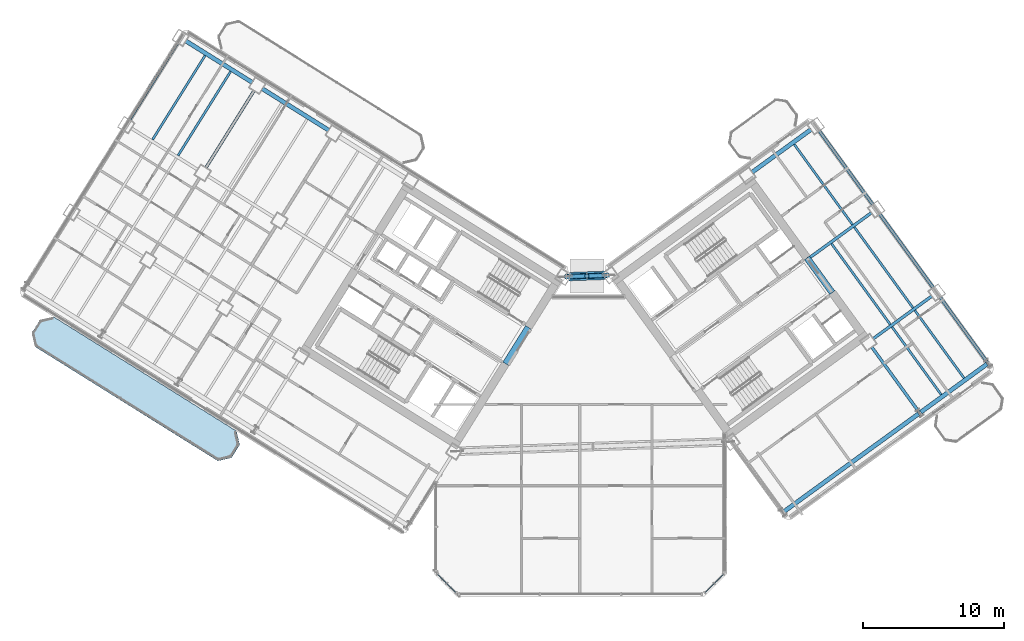
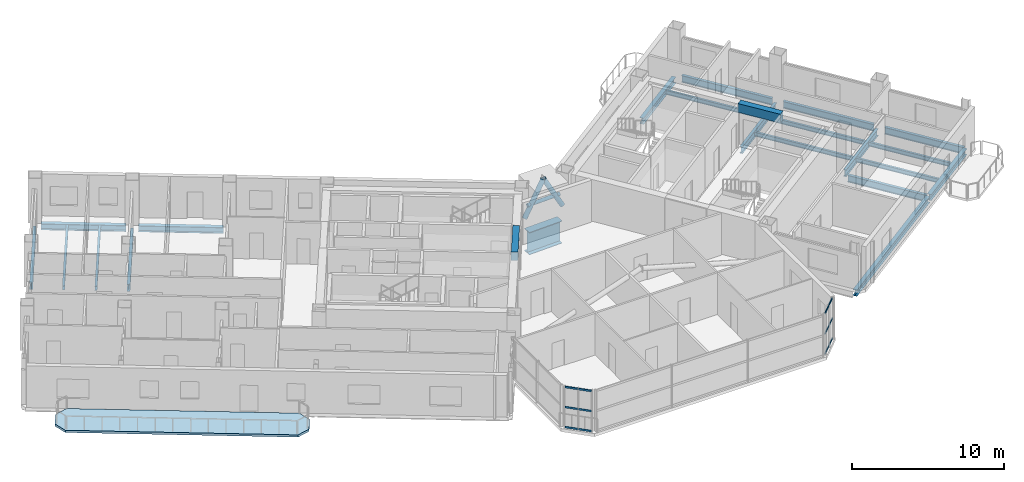
# One storey, part 11 of 29: 23 beams, 15 members, 1 slab, 2 elements without a shape of their own.
"""IFC4 building model written with IfcOpenShell, lengths in metres."""

import ifcopenshell
import ifcopenshell.guid

model = None  # the IFC model being written
_history = None  # IfcOwnerHistory: only IFC2X3 demands one
_inside = {}  # id of a spatial element -> (the spatial element, [elements in it])
_under = {}  # id of a project, library or spatial element -> (it, [spatial elements below it])
_declared = {}  # id of a project -> (the project, [libraries it declares])
_typed = {}  # id of a type object -> (the type object, [elements of that type])
_made_of = {}  # id of a material, layer set ... -> (it, [elements and type objects made of it])


def new_model(schema):
    """Start an empty IFC model of exactly this schema.

    Asked for "IFC4X3", IfcOpenShell would pick the latest addendum, in which some entities
    have other attributes; the version numbers below select the first issue.
    IFC2X3 requires an IfcOwnerHistory on every rooted entity: one is made here for all.
    """
    global model, _history
    if schema == "IFC4X3":
        model = ifcopenshell.file(schema_version=(4, 3, 0, 0))
    else:
        model = ifcopenshell.file(schema=schema)
    _inside.clear()
    _under.clear()
    _declared.clear()
    _typed.clear()
    _made_of.clear()
    _history = None
    if model.schema == "IFC2X3":
        org = make("IfcOrganization", Name="unknown")
        user = make(
            "IfcPersonAndOrganization",
            ThePerson=make("IfcPerson", FamilyName="unknown"),
            TheOrganization=org,
        )
        app = make(
            "IfcApplication",
            ApplicationDeveloper=org,
            Version="unknown",
            ApplicationFullName="unknown",
            ApplicationIdentifier="unknown",
        )
        _history = make(
            "IfcOwnerHistory",
            OwningUser=user,
            OwningApplication=app,
            ChangeAction="ADDED",
            CreationDate=0,
        )
    return model


def make(cls, **values):
    """One entity of the class cls with the attributes given. An attribute that is None is left unset."""
    return model.create_entity(
        cls, **{name: value for name, value in values.items() if value is not None}
    )


def rooted(cls, **values):
    """An entity with a GlobalId (a new one), such as an element, a storey or a relation."""
    return make(cls, GlobalId=ifcopenshell.guid.new(), OwnerHistory=_history, **values)


def si_unit(unit_type, name, prefix=None):
    """IfcSIUnit, for example si_unit("LENGTHUNIT", "METRE", prefix="MILLI")."""
    return make("IfcSIUnit", UnitType=unit_type, Prefix=prefix, Name=name)


def assignment(units):
    """IfcUnitAssignment: the units of a project."""
    return None if units is None else make("IfcUnitAssignment", Units=units)


def point(xyz):
    """IfcCartesianPoint."""
    return None if xyz is None else make("IfcCartesianPoint", Coordinates=xyz)


def direction(xyz):
    """IfcDirection."""
    return None if xyz is None else make("IfcDirection", DirectionRatios=xyz)


def frame(location, z_axis=None, x_axis=None):
    """IfcAxis2Placement3D, a coordinate frame: its origin and axes. An axis left out is left unset."""
    return make(
        "IfcAxis2Placement3D",
        Location=point(location),
        Axis=direction(z_axis),
        RefDirection=direction(x_axis),
    )


def frame_2d(location, x_axis=None):
    """IfcAxis2Placement2D, a coordinate frame in the plane: its origin and x axis."""
    return make(
        "IfcAxis2Placement2D", Location=point(location), RefDirection=direction(x_axis)
    )


def origin():
    """The frame at (0, 0, 0) with its axes left unset."""
    return frame((0.0, 0.0, 0.0))


def origin_2d():
    """The frame at (0, 0) in the plane with its x axis left unset."""
    return frame_2d((0.0, 0.0))


def place(relative_to, where):
    """IfcLocalPlacement: puts the frame where relative to a parent placement (None: the world)."""
    return make(
        "IfcLocalPlacement", PlacementRelTo=relative_to, RelativePlacement=where
    )


def context(
    kind, dimensions, precision=None, world=None, true_north=None, identifier=None
):
    """IfcGeometricRepresentationContext, for example the 3D "Model" context."""
    return make(
        "IfcGeometricRepresentationContext",
        ContextIdentifier=identifier,
        ContextType=kind,
        CoordinateSpaceDimension=dimensions,
        Precision=precision,
        WorldCoordinateSystem=world,
        TrueNorth=true_north,
    )


def subcontext(parent, identifier, kind, view, scale=None):
    """IfcGeometricRepresentationSubContext, for example "Body" below "Model"."""
    return make(
        "IfcGeometricRepresentationSubContext",
        ContextIdentifier=identifier,
        ContextType=kind,
        ParentContext=parent,
        TargetScale=scale,
        TargetView=view,
    )


def project(units=None, contexts=None):
    """IfcProject with its units and contexts."""
    return rooted(
        "IfcProject",
        Name="project",
        RepresentationContexts=contexts,
        UnitsInContext=assignment(units),
    )


def spatial(cls, under=None, at=None, **own):
    """A site, building, storey or space (cls), placed at a placement, below another one or the project."""
    s = rooted(cls, ObjectPlacement=at, **own)
    if under is not None:
        _under.setdefault(under.id(), (under, []))[1].append(s)
    return s


def polyline(points):
    """IfcPolyline through the points."""
    return make("IfcPolyline", Points=[point(p) for p in points])


def profile(cls, at=None, kind="AREA", **sizes):
    """A parametric profile (cls). Its sizes go by their IFC names, for example OverallWidth=200.0."""
    return make(cls, ProfileType=kind, Position=at, **sizes)


def rectangle(**sizes):
    """IfcRectangleProfileDef."""
    return profile("IfcRectangleProfileDef", **sizes)


def hollow_rectangle(**sizes):
    """IfcRectangleHollowProfileDef."""
    return profile("IfcRectangleHollowProfileDef", **sizes)


def hollow_circle(**sizes):
    """IfcCircleHollowProfileDef."""
    return profile("IfcCircleHollowProfileDef", **sizes)


def i_section(**sizes):
    """IfcIShapeProfileDef."""
    return profile("IfcIShapeProfileDef", **sizes)


def outline(outer, holes=None, kind="AREA"):
    """IfcArbitraryClosedProfileDef: a profile drawn as a closed curve; with holes, ...WithVoids."""
    if holes is None:
        return make("IfcArbitraryClosedProfileDef", ProfileType=kind, OuterCurve=outer)
    return make(
        "IfcArbitraryProfileDefWithVoids",
        ProfileType=kind,
        OuterCurve=outer,
        InnerCurves=holes,
    )


def extrude(swept, where, along, depth):
    """IfcExtrudedAreaSolid: the profile swept, set in the frame where, extruded along a direction by depth."""
    return make(
        "IfcExtrudedAreaSolid",
        SweptArea=swept,
        Position=where,
        ExtrudedDirection=direction(along),
        Depth=depth,
    )


def shape(context_of_items, identifier, shape_type, items):
    """IfcShapeRepresentation: the items that make up one representation, for example the "Body"."""
    return make(
        "IfcShapeRepresentation",
        ContextOfItems=context_of_items,
        RepresentationIdentifier=identifier,
        RepresentationType=shape_type,
        Items=items,
    )


def source(mapping_origin, context_of_items, identifier, shape_type, items):
    """IfcRepresentationMap: a shape defined once, which mapped items show again and again."""
    return make(
        "IfcRepresentationMap",
        MappingOrigin=mapping_origin,
        MappedRepresentation=shape(context_of_items, identifier, shape_type, items),
    )


def transform(
    local_origin,
    x_axis=None,
    y_axis=None,
    z_axis=None,
    scale=None,
    scale2=None,
    scale3=None,
    uniform=True,
):
    """IfcCartesianTransformationOperator3D, or its non-uniform kind. x_axis, y_axis, z_axis: its Axis1, 2, 3."""
    if uniform:
        return make(
            "IfcCartesianTransformationOperator3D",
            Axis1=direction(x_axis),
            Axis2=direction(y_axis),
            LocalOrigin=point(local_origin),
            Scale=scale,
            Axis3=direction(z_axis),
        )
    return make(
        "IfcCartesianTransformationOperator3DnonUniform",
        Axis1=direction(x_axis),
        Axis2=direction(y_axis),
        LocalOrigin=point(local_origin),
        Scale=scale,
        Axis3=direction(z_axis),
        Scale2=scale2,
        Scale3=scale3,
    )


def mapped(mapping_source, mapping_target):
    """IfcMappedItem: shows the shape of a source again, moved by a transform."""
    return make(
        "IfcMappedItem", MappingSource=mapping_source, MappingTarget=mapping_target
    )


def material(Name=None, Category=None):
    """IfcMaterial."""
    return make("IfcMaterial", Name=Name, Category=Category)


def layer(
    of_material, thickness, ventilated=None, Name=None, Category=None, Priority=None
):
    """IfcMaterialLayer: one layer of a wall or slab, of a material (None: an air gap)."""
    return make(
        "IfcMaterialLayer",
        Material=of_material,
        LayerThickness=thickness,
        IsVentilated=ventilated,
        Name=Name,
        Category=Category,
        Priority=Priority,
    )


def layer_set(layers, Name=None):
    """IfcMaterialLayerSet."""
    return make("IfcMaterialLayerSet", MaterialLayers=layers, LayerSetName=Name)


def material_profile(
    of_material, cross_section, Name=None, Category=None, Priority=None
):
    """IfcMaterialProfile: a cross section and its material."""
    return make(
        "IfcMaterialProfile",
        Name=Name,
        Material=of_material,
        Profile=cross_section,
        Priority=Priority,
        Category=Category,
    )


def profile_set(profiles, Name=None, composite=None):
    """IfcMaterialProfileSet."""
    return make(
        "IfcMaterialProfileSet",
        Name=Name,
        MaterialProfiles=profiles,
        CompositeProfile=composite,
    )


def made_of(thing, what):
    """Note that an element or type object is made of a material, layer set ...; save() writes the relation."""
    if what is not None:
        _made_of.setdefault(what.id(), (what, []))[1].append(thing)
    return thing


def type_object(cls, material=None, **own):
    """A type object (cls), such as IfcWallType, which elements share."""
    return made_of(rooted(cls, **own), material)


def element(
    cls,
    number,
    at=None,
    inside=None,
    cuts=None,
    type_object=None,
    material=None,
    context=None,
    identifier="Body",
    shape_type=None,
    held_by="IfcProductDefinitionShape",
    body=None,
    shapes=None,
    **own,
):
    """One element of the class cls, such as IfcWall. Its Tag is "e" and its number.

    at: its placement. inside: the storey or other place that contains it. cuts: it is an
    opening in that element (IfcRelVoidsElement). A single representation is given by context,
    identifier, shape_type and body (its items); several are given by shapes. held_by: the class
    of the entity that holds the representations. save() writes the other relations.
    """
    e = rooted(cls, Tag="e%d" % number, ObjectPlacement=at, **own)
    if body is not None:
        shapes = [shape(context, identifier, shape_type, body)]
    if shapes is not None:
        e.Representation = make(held_by, Representations=shapes)
    if inside is not None:
        _inside.setdefault(inside.id(), (inside, []))[1].append(e)
    if cuts is not None:
        rooted(
            "IfcRelVoidsElement", RelatingBuildingElement=cuts, RelatedOpeningElement=e
        )
    if type_object is not None:
        _typed.setdefault(type_object.id(), (type_object, []))[1].append(e)
    return made_of(e, material)


def aggregate(whole, parts):
    """IfcRelAggregates: a whole, such as a stair, and the parts it consists of."""
    return rooted("IfcRelAggregates", RelatingObject=whole, RelatedObjects=parts)


def save(model, path):
    """Write the relations noted so far, then the file.

    IfcRelAggregates (storeys below a building ...), IfcRelContainedInSpatialStructure (elements
    in a storey), IfcRelDefinesByType, IfcRelAssociatesMaterial and IfcRelDeclares: one each for
    every whole, place, type object, material and project.
    """
    for whole, parts in _under.values():
        aggregate(whole, parts)
    for where, things in _inside.values():
        rooted(
            "IfcRelContainedInSpatialStructure",
            RelatedElements=things,
            RelatingStructure=where,
        )
    for kind, things in _typed.values():
        rooted("IfcRelDefinesByType", RelatedObjects=things, RelatingType=kind)
    for what, things in _made_of.values():
        rooted("IfcRelAssociatesMaterial", RelatedObjects=things, RelatingMaterial=what)
    for by, libraries in _declared.values():
        rooted("IfcRelDeclares", RelatingContext=by, RelatedDefinitions=libraries)
    model.write(path)


model = new_model("IFC4")

# Units and contexts
model_context = context("Model", 3, precision=1e-05, world=origin(), true_north=direction((0.0, 1.0)))
body_context = subcontext(model_context, "Body", "Model", "MODEL_VIEW")
ifc_project = project(units=[si_unit("LENGTHUNIT", "METRE"), si_unit("AREAUNIT", "SQUARE_METRE"), si_unit("VOLUMEUNIT", "CUBIC_METRE"), si_unit("PLANEANGLEUNIT", "RADIAN"), si_unit("MASSUNIT", "GRAM", prefix="KILO")], contexts=[model_context])

# Site, building, storey
site_placement = place(None, origin())
site = spatial("IfcSite", under=ifc_project, at=site_placement, CompositionType="ELEMENT")
building_placement = place(site_placement, origin())
building = spatial("IfcBuilding", under=site, at=building_placement, Name="Tlacorven Tower", CompositionType="ELEMENT")
storey_placement = place(building_placement, frame((0.0, 0.0, 151.5)))
storey = spatial("IfcBuildingStorey", under=building, at=storey_placement, Name="L38", CompositionType="ELEMENT", Elevation=151.5)

# Beams
ifc_material_1 = material(Name="Concrete C60/75", Category="concrete")
ifc_material_profile_1 = material_profile(ifc_material_1, rectangle(XDim=0.449951171875, YDim=0.699951171875, at=origin_2d()), Name="RC 450X700")
ifc_profile_set_1 = profile_set([ifc_material_profile_1], Name="Concrete C60/75")
beam_type_1 = type_object("IfcBeamType", Name="BM-LNT-700", PredefinedType="LINTEL", material=ifc_profile_set_1)
shared_shape_1 = source(origin(), body_context, "Body", "SweptSolid", [
    extrude(rectangle(XDim=0.449951171875, YDim=0.699951171875, at=origin_2d()), origin(), (0.0, 0.0, 1.0), 3.050048828125),
])
for number, where, z_axis, x_axis, name in (
    (1, (38.2998046875, 20.890625, 3.0), (-0.529984549635, -0.848007297815, 0.0), (0.848007297815, -0.529984549635, 0.0), "L38 W core coupling lintel beam E1"),
    (2, (59.856689453125, 23.345947265625, 3.0), (-0.587776590479, 0.80902328748, 0.0), (-0.80902328748, -0.587776590479, 0.0), "L38 E core coupling lintel beam E2"),
):
    element("IfcBeam", number, at=place(storey_placement, frame(where, z_axis=z_axis, x_axis=x_axis)), inside=storey, type_object=beam_type_1, Name=name, PredefinedType="LINTEL", context=body_context, shape_type="MappedRepresentation", body=[
        mapped(shared_shape_1, transform((0.0, 0.0, 0.0), scale=1.0)),
    ])
ifc_material_2 = material(Name="Steel S355J2", Category="steel")
ifc_material_profile_2 = material_profile(ifc_material_2, i_section(OverallWidth=0.300048828125, OverallDepth=0.489990234375, WebThickness=0.011962890625, FlangeThickness=0.02294921875, at=origin_2d()), Name="HEA 500")
ifc_profile_set_2 = profile_set([ifc_material_profile_2], Name="Steel S355J2")
beam_type_2 = type_object("IfcBeamType", Name="BM-SPN-500", PredefinedType="SPANDREL", material=ifc_profile_set_2)
shared_shape_2 = source(origin(), body_context, "Body", "SweptSolid", [
    extrude(i_section(OverallWidth=0.300048828125, OverallDepth=0.489990234375, WebThickness=0.011962890625, FlangeThickness=0.02294921875, at=origin_2d()), origin(), (0.0, 0.0, 1.0), 11.800048828125),
])
beam_1_placement = place(storey_placement, frame((56.4306640625, 7.816162109375, -0.4951171875), z_axis=(0.80900977213, 0.587795192732, 0.0), x_axis=(-0.587795192732, 0.80900977213, 0.0)))
element("IfcBeam", 3, at=beam_1_placement, inside=storey, type_object=beam_type_2, Name="L38 beam BM-L38-EL1-1", PredefinedType="SPANDREL", context=body_context, shape_type="MappedRepresentation", body=[
    mapped(shared_shape_2, transform((0.0, 0.0, 0.0), scale=1.0)),
])
shared_shape_3 = source(origin(), body_context, "Body", "SweptSolid", [
    extrude(i_section(OverallWidth=0.300048828125, OverallDepth=0.489990234375, WebThickness=0.011962890625, FlangeThickness=0.02294921875, at=origin_2d()), origin(), (0.0, 0.0, 1.0), 5.800048828125),
])
beam_2_placement = place(storey_placement, frame((66.138671875, 14.86962890625, -0.4951171875), z_axis=(0.809019944521, 0.587781191743, 0.0), x_axis=(-0.587781191743, 0.809019944521, 0.0)))
element("IfcBeam", 4, at=beam_2_placement, inside=storey, type_object=beam_type_2, Name="L38 beam BM-L38-EL1-3", PredefinedType="SPANDREL", context=body_context, shape_type="MappedRepresentation", body=[
    mapped(shared_shape_3, transform((0.0, 0.0, 0.0), scale=1.0)),
])
shared_shape_4 = source(origin(), body_context, "Body", "SweptSolid", [
    extrude(i_section(OverallWidth=0.300048828125, OverallDepth=0.489990234375, WebThickness=0.011962890625, FlangeThickness=0.02294921875, at=origin_2d()), origin(), (0.0, 0.0, 1.0), 5.599853515625),
])
for number, where, z_axis, x_axis, name in (
    (5, (24.1611328125, 34.854736328125, -0.4951171875), (-0.848047285686, 0.529920561254, 0.0), (-0.529920561254, -0.848047285686, 0.0), "L38 beam BM-L38-WL1-4"),
    (6, (18.733642578125, 38.246337890625, -0.4951171875), (-0.848047285686, 0.529920561254, 0.0), (-0.529920561254, -0.848047285686, 0.0), "L38 beam BM-L38-WL1-5"),
):
    element("IfcBeam", number, at=place(storey_placement, frame(where, z_axis=z_axis, x_axis=x_axis)), inside=storey, type_object=beam_type_2, Name=name, PredefinedType="SPANDREL", context=body_context, shape_type="MappedRepresentation", body=[
        mapped(shared_shape_4, transform((0.0, 0.0, 0.0), scale=1.0)),
    ])
ifc_material_profile_3 = material_profile(ifc_material_2, i_section(OverallWidth=0.2099609375, OverallDepth=0.550048828125, WebThickness=0.010986328125, FlangeThickness=0.01708984375, at=origin_2d()), Name="IPE 550")
ifc_profile_set_3 = profile_set([ifc_material_profile_3], Name="Steel S355J2")
beam_type_3 = type_object("IfcBeamType", Name="BM-TWR-550", PredefinedType="BEAM", material=ifc_profile_set_3)
shared_shape_5 = source(origin(), body_context, "Body", "SweptSolid", [
    extrude(i_section(OverallWidth=0.2099609375, OverallDepth=0.550048828125, WebThickness=0.010986328125, FlangeThickness=0.01708984375, at=origin_2d()), origin(), (0.0, 0.0, 1.0), 5.7001953125),
])
beam_3_placement = place(storey_placement, frame((70.853271484375, 18.41845703125, -0.52490234375), z_axis=(-0.587766699507, 0.809030473438, 0.0), x_axis=(-0.809030473438, -0.587766699507, 0.0)))
element("IfcBeam", 7, at=beam_3_placement, inside=storey, type_object=beam_type_3, Name="L38 beam BM-L38-ET4-1", PredefinedType="BEAM", context=body_context, shape_type="MappedRepresentation", body=[
    mapped(shared_shape_5, transform((0.0, 0.0, 0.0), scale=1.0)),
])
shared_shape_6 = source(origin(), body_context, "Body", "SweptSolid", [
    extrude(i_section(OverallWidth=0.2099609375, OverallDepth=0.550048828125, WebThickness=0.010986328125, FlangeThickness=0.01708984375, at=origin_2d()), origin(), (0.0, 0.0, 1.0), 5.699951171875),
])
beam_4_placement = place(storey_placement, frame((65.9990234375, 14.891845703125, -0.52490234375), z_axis=(-0.587787066966, 0.809015675935, 0.0), x_axis=(-0.809015675935, -0.587787066966, 0.0)))
element("IfcBeam", 8, at=beam_4_placement, inside=storey, type_object=beam_type_3, Name="L38 beam BM-L38-ET3-1", PredefinedType="BEAM", context=body_context, shape_type="MappedRepresentation", body=[
    mapped(shared_shape_6, transform((0.0, 0.0, 0.0), scale=1.0)),
])
shared_shape_7 = source(origin(), body_context, "Body", "SweptSolid", [
    extrude(i_section(OverallWidth=0.2099609375, OverallDepth=0.550048828125, WebThickness=0.010986328125, FlangeThickness=0.01708984375, at=origin_2d()), origin(), (0.0, 0.0, 1.0), 6.5),
])
for number, where, z_axis, x_axis, name in (
    (9, (13.433349609375, 41.086669921875, -0.52490234375), (-0.529894274829, -0.848063710757, 0.0), (0.848063710757, -0.529894274829, 0.0), "L38 beam BM-L38-WT6-1"),
    (10, (67.03271484375, 23.67724609375, -0.52490234375), (-0.587809847215, 0.808999124547, 0.0), (-0.808999124547, -0.587809847215, 0.0), "L38 beam BM-L38-ET4-2"),
    (11, (62.74169921875, 29.5830078125, -0.52490234375), (-0.587785264321, 0.809016985636, 0.0), (-0.809016985636, -0.587785264321, 0.0), "L38 beam BM-L38-ET4-3"),
):
    element("IfcBeam", number, at=place(storey_placement, frame(where, z_axis=z_axis, x_axis=x_axis)), inside=storey, type_object=beam_type_3, Name=name, PredefinedType="BEAM", context=body_context, shape_type="MappedRepresentation", body=[
        mapped(shared_shape_7, transform((0.0, 0.0, 0.0), scale=1.0)),
    ])
shared_shape_8 = source(origin(), body_context, "Body", "SweptSolid", [
    extrude(i_section(OverallWidth=0.2099609375, OverallDepth=0.550048828125, WebThickness=0.010986328125, FlangeThickness=0.01708984375, at=origin_2d()), origin(), (0.0, 0.0, 1.0), 6.499755859375),
])
beam_5_placement = place(storey_placement, frame((18.86083984375, 37.695068359375, -0.52490234375), z_axis=(-0.529911154058, -0.848053163902, 0.0), x_axis=(0.848053163902, -0.529911154058, 0.0)))
element("IfcBeam", 12, at=beam_5_placement, inside=storey, type_object=beam_type_3, Name="L38 beam BM-L38-WT5-1", PredefinedType="BEAM", context=body_context, shape_type="MappedRepresentation", body=[
    mapped(shared_shape_8, transform((0.0, 0.0, 0.0), scale=1.0)),
])
shared_shape_9 = source(origin(), body_context, "Body", "SweptSolid", [
    extrude(i_section(OverallWidth=0.2099609375, OverallDepth=0.550048828125, WebThickness=0.010986328125, FlangeThickness=0.01708984375, at=origin_2d()), origin(), (0.0, 0.0, 1.0), 5.56005859375),
])
beam_6_placement = place(storey_placement, frame((58.155029296875, 25.756103515625, -0.52490234375), z_axis=(0.809028396397, 0.587769558435, 0.0), x_axis=(-0.587769558435, 0.809028396397, 0.0)))
element("IfcBeam", 13, at=beam_6_placement, inside=storey, type_object=beam_type_3, Name="L38 beam BM-L38-EL3-3", PredefinedType="BEAM", context=body_context, shape_type="MappedRepresentation", body=[
    mapped(shared_shape_9, transform((0.0, 0.0, 0.0), scale=1.0)),
])

# Member
ifc_material_profile_4 = material_profile(ifc_material_2, hollow_circle(Radius=0.136474609375, WallThickness=0.012451171875, at=origin_2d()), Name="CHS 273.0X12.5")
ifc_profile_set_4 = profile_set([ifc_material_profile_4], Name="Steel S355J2")
member_type_1 = type_object("IfcMemberType", Name="MB-TRB-STR", PredefinedType="STRUT", material=ifc_profile_set_4)
shared_shape_10 = source(origin(), body_context, "Body", "SweptSolid", [
    extrude(hollow_circle(Radius=0.136474609375, WallThickness=0.012451171875, at=origin_2d()), origin(), (0.0, 0.0, 1.0), 2.48291015625),
])
member_1_placement = place(storey_placement, frame((41.212646484375, 24.4833984375, 1.75), z_axis=(0.999390603059, 0.034905909493, 0.0), x_axis=(-0.034905909493, 0.999390603059, 0.0)))
element("IfcMember", 14, at=member_1_placement, inside=storey, type_object=member_type_1, Name="L38 Venturi Wind-Turbine Slot Ring Strut", PredefinedType="STRUT", context=body_context, shape_type="MappedRepresentation", body=[
    mapped(shared_shape_10, transform((0.0, 0.0, 0.0), scale=1.0)),
])

# Beams
ifc_material_profile_5 = material_profile(ifc_material_2, i_section(OverallWidth=0.159912109375, OverallDepth=0.330078125, WebThickness=0.007568359375, FlangeThickness=0.011474609375, at=origin_2d()), Name="IPE 330")
ifc_profile_set_5 = profile_set([ifc_material_profile_5], Name="Steel S355J2")
beam_type_4 = type_object("IfcBeamType", Name="BM-JST-330", PredefinedType="JOIST", material=ifc_profile_set_5)
shared_shape_11 = source(origin(), body_context, "Body", "SweptSolid", [
    extrude(i_section(OverallWidth=0.159912109375, OverallDepth=0.330078125, WebThickness=0.007568359375, FlangeThickness=0.011474609375, at=origin_2d()), origin(), (0.0, 0.0, 1.0), 5.93505859375),
])
for number, where, z_axis, x_axis, name in (
    (15, (67.584716796875, 16.11181640625, -0.4150390625), (-0.58778762431, 0.809015270998, 0.0), (-0.809015270998, -0.58778762431, 0.0), "L38 beam BM-L38-EJ3-1-1"),
    (16, (69.202880859375, 17.287353515625, -0.4150390625), (-0.58778762431, 0.809015270998, 0.0), (-0.809015270998, -0.58778762431, 0.0), "L38 beam BM-L38-EJ3-1-2"),
):
    element("IfcBeam", number, at=place(storey_placement, frame(where, z_axis=z_axis, x_axis=x_axis)), inside=storey, type_object=beam_type_4, Name=name, PredefinedType="JOIST", context=body_context, shape_type="MappedRepresentation", body=[
        mapped(shared_shape_11, transform((0.0, 0.0, 0.0), scale=1.0)),
    ])
shared_shape_12 = source(origin(), body_context, "Body", "SweptSolid", [
    extrude(i_section(OverallWidth=0.159912109375, OverallDepth=0.330078125, WebThickness=0.007568359375, FlangeThickness=0.011474609375, at=origin_2d()), origin(), (0.0, 0.0, 1.0), 7.080078125),
])
beam_7_placement = place(storey_placement, frame((65.5849609375, 22.266845703125, -0.4150390625), z_axis=(-0.587759505125, 0.809035700161, 0.0), x_axis=(-0.809035700161, -0.587759505125, 0.0)))
element("IfcBeam", 17, at=beam_7_placement, inside=storey, type_object=beam_type_4, Name="L38 beam BM-L38-EJ3-2-2", PredefinedType="JOIST", context=body_context, shape_type="MappedRepresentation", body=[
    mapped(shared_shape_12, transform((0.0, 0.0, 0.0), scale=1.0)),
])
shared_shape_13 = source(origin(), body_context, "Body", "SweptSolid", [
    extrude(i_section(OverallWidth=0.159912109375, OverallDepth=0.330078125, WebThickness=0.007568359375, FlangeThickness=0.011474609375, at=origin_2d()), origin(), (0.0, 0.0, 1.0), 7.03515625),
])
beam_8_placement = place(storey_placement, frame((17.181640625, 39.033447265625, -0.4150390625), z_axis=(-0.529920952588, -0.848047041153, 0.0), x_axis=(0.848047041153, -0.529920952588, 0.0)))
element("IfcBeam", 18, at=beam_8_placement, inside=storey, type_object=beam_type_4, Name="L38 beam BM-L38-WJ5-1-1", PredefinedType="JOIST", context=body_context, shape_type="MappedRepresentation", body=[
    mapped(shared_shape_13, transform((0.0, 0.0, 0.0), scale=1.0)),
])
shared_shape_14 = source(origin(), body_context, "Body", "SweptSolid", [
    extrude(i_section(OverallWidth=0.159912109375, OverallDepth=0.330078125, WebThickness=0.007568359375, FlangeThickness=0.011474609375, at=origin_2d()), origin(), (0.0, 0.0, 1.0), 7.034912109375),
])
for number, where, z_axis, x_axis, name in (
    (19, (15.372314453125, 40.163818359375, -0.4150390625), (-0.529895993776, -0.848062636708, 0.0), (0.848062636708, -0.529895993776, 0.0), "L38 beam BM-L38-WJ5-1-2"),
    (20, (61.294189453125, 28.1728515625, -0.4150390625), (-0.587781631373, 0.809019625115, 0.0), (-0.809019625115, -0.587781631373, 0.0), "L38 beam BM-L38-EJ3-3-2"),
):
    element("IfcBeam", number, at=place(storey_placement, frame(where, z_axis=z_axis, x_axis=x_axis)), inside=storey, type_object=beam_type_4, Name=name, PredefinedType="JOIST", context=body_context, shape_type="MappedRepresentation", body=[
        mapped(shared_shape_14, transform((0.0, 0.0, 0.0), scale=1.0)),
    ])
shared_shape_15 = source(origin(), body_context, "Body", "SweptSolid", [
    extrude(i_section(OverallWidth=0.159912109375, OverallDepth=0.330078125, WebThickness=0.007568359375, FlangeThickness=0.011474609375, at=origin_2d()), origin(), (0.0, 0.0, 1.0), 7.080322265625),
])
beam_9_placement = place(storey_placement, frame((63.967041015625, 21.09130859375, -0.4150390625), z_axis=(-0.587782074775, 0.809019302967, 0.0), x_axis=(-0.809019302967, -0.587782074775, 0.0)))
element("IfcBeam", 21, at=beam_9_placement, inside=storey, type_object=beam_type_4, Name="L38 beam BM-L38-EJ3-2-1", PredefinedType="JOIST", context=body_context, shape_type="MappedRepresentation", body=[
    mapped(shared_shape_15, transform((0.0, 0.0, 0.0), scale=1.0)),
])
shared_shape_16 = source(origin(), body_context, "Body", "SweptSolid", [
    extrude(i_section(OverallWidth=0.2099609375, OverallDepth=0.550048828125, WebThickness=0.010986328125, FlangeThickness=0.01708984375, at=origin_2d()), origin(), (0.0, 0.0, 1.0), 5.199951171875),
])
beam_10_placement = place(storey_placement, frame((62.7373046875, 20.06201171875, -0.52490234375), z_axis=(0.809018206713, 0.587783583648, 0.0), x_axis=(-0.587783583648, 0.809018206713, 0.0)))
element("IfcBeam", 22, at=beam_10_placement, inside=storey, type_object=beam_type_3, Name="L38 beam BM-L38-EL2-3", PredefinedType="BEAM", context=body_context, shape_type="MappedRepresentation", body=[
    mapped(shared_shape_16, transform((0.0, 0.0, 0.0), scale=1.0)),
])
shared_shape_17 = source(origin(), body_context, "Body", "SweptSolid", [
    extrude(i_section(OverallWidth=0.300048828125, OverallDepth=0.489990234375, WebThickness=0.011962890625, FlangeThickness=0.02294921875, at=origin_2d()), origin(), (0.0, 0.0, 1.0), 5.2001953125),
])
beam_11_placement = place(storey_placement, frame((54.155517578125, 31.87353515625, -0.4951171875), z_axis=(0.80901210161, 0.587791986546, 0.0), x_axis=(-0.587791986546, 0.80901210161, 0.0)))
element("IfcBeam", 23, at=beam_11_placement, inside=storey, type_object=beam_type_2, Name="L38 beam BM-L38-EL4-3", PredefinedType="SPANDREL", context=body_context, shape_type="MappedRepresentation", body=[
    mapped(shared_shape_17, transform((0.0, 0.0, 0.0), scale=1.0)),
])
ifc_material_3 = material(Name="Steel S460M", Category="steel")
ifc_material_profile_6 = material_profile(ifc_material_3, i_section(OverallWidth=0.60009765625, OverallDepth=1.800048828125, WebThickness=0.028076171875, FlangeThickness=0.0400390625, at=origin_2d()), Name="PG 1800X600X28X40")
ifc_profile_set_6 = profile_set([ifc_material_profile_6], Name="Steel S460M")
beam_type_5 = type_object("IfcBeamType", Name="BM-TRG-1800", PredefinedType="USERDEFINED", material=ifc_profile_set_6)
shared_shape_18 = source(origin(), body_context, "Body", "SweptSolid", [
    extrude(i_section(OverallWidth=0.60009765625, OverallDepth=1.800048828125, WebThickness=0.028076171875, FlangeThickness=0.0400390625, at=origin_2d()), origin(), (0.0, 0.0, 1.0), 2.542724609375),
])
beam_12_placement = place(storey_placement, frame((41.1826171875, 24.482421875, -1.14990234375), z_axis=(0.999392467766, 0.034852480142, 0.0), x_axis=(-0.034852480142, 0.999392467766, 0.0)))
element("IfcBeam", 24, at=beam_12_placement, inside=storey, type_object=beam_type_5, Name="L38 Knuckle Link Girder 1", ObjectType="TRANSFER GIRDER", PredefinedType="USERDEFINED", context=body_context, shape_type="MappedRepresentation", body=[
    mapped(shared_shape_18, transform((0.0, 0.0, 0.0), scale=1.0)),
])

# Members
ifc_material_profile_7 = material_profile(ifc_material_3, hollow_circle(Radius=0.177734375, WallThickness=0.01611328125, at=origin_2d()), Name="CHS 355.6X16")
ifc_profile_set_7 = profile_set([ifc_material_profile_7], Name="Steel S460M")
member_type_2 = type_object("IfcMemberType", Name="MB-PRT-STR", PredefinedType="STRUT", material=ifc_profile_set_7)
shared_shape_19 = source(origin(), body_context, "Body", "SweptSolid", [
    extrude(hollow_circle(Radius=0.177734375, WallThickness=0.01611328125, at=origin_2d()), origin(), (0.0, 0.0, 1.0), 2.984130859375),
])
for number, where, z_axis, x_axis, name in (
    (25, (41.0068359375, 24.476318359375, 0.807373046875), (0.481470904697, 0.016771713758, 0.87630159052), (-0.034813209258, 0.999393836513, 0.0), "L38 Void-Portal Transfer Strut West 1"),
    (26, (43.89990234375, 24.5771484375, 0.807373046875), (-0.481533748749, -0.016771053091, 0.8762670715), (0.034807301846, -0.999394042277, 0.0), "L38 Void-Portal Transfer Strut East 1"),
):
    element("IfcMember", number, at=place(storey_placement, frame(where, z_axis=z_axis, x_axis=x_axis)), inside=storey, type_object=member_type_2, Name=name, PredefinedType="STRUT", context=body_context, shape_type="MappedRepresentation", body=[
        mapped(shared_shape_19, transform((0.0, 0.0, 0.0), scale=1.0)),
    ])

# Curtain wall, members
ifc_material_4 = material(Name="Dark solar low-E double glazing in aluminium frame", Category="aluminium")
curtain_wall_type = type_object("IfcCurtainWallType", Name="CW-TWR-MID", PredefinedType="USERDEFINED", material=ifc_material_4)
curtain_wall_1_placement = place(storey_placement, origin())
curtain_wall_1 = element("IfcCurtainWall", 27, at=curtain_wall_1_placement, inside=storey, type_object=curtain_wall_type, Name="L38 CW-TWR-MID Curtain Wall 167", ObjectType="UNITISED CURTAIN WALL", PredefinedType="USERDEFINED")
ifc_material_5 = material(Name="Aluminium 6063-T6 anodised", Category="aluminium")
ifc_material_profile_8 = material_profile(ifc_material_5, hollow_rectangle(XDim=0.06005859375, YDim=0.139892578125, WallThickness=0.00390625, at=origin_2d()), Name="ALU TRANSOM 60X140")
ifc_profile_set_8 = profile_set([ifc_material_profile_8], Name="Aluminium 6063-T6 anodised")
member_type_3 = type_object("IfcMemberType", Name="CWT-02", PredefinedType="USERDEFINED", material=ifc_profile_set_8)
shared_shape_20 = source(origin(), body_context, "Body", "SweptSolid", [
    extrude(hollow_rectangle(XDim=0.06005859375, YDim=0.139892578125, WallThickness=0.00390625, at=origin_2d()), origin(), (0.0, 0.0, 1.0), 0.8916015625),
])
member_2_placement = place(storey_placement, frame((52.1318359375, 3.358154296875, 0.070068359375), z_axis=(-0.706969864397, -0.70724367147, 0.0), x_axis=(0.70724367147, -0.706969864397, 0.0)))
member_2 = element("IfcMember", 28, at=member_2_placement, type_object=member_type_3, Name="CW-L38-167 Transom 1", ObjectType="TRANSOM", PredefinedType="USERDEFINED", context=body_context, shape_type="MappedRepresentation", body=[
    mapped(shared_shape_20, transform((0.0, 0.0, 0.0), scale=1.0)),
])
member_3_placement = place(storey_placement, frame((52.1318359375, 3.358154296875, 1.675048828125), z_axis=(-0.706969864397, -0.70724367147, 0.0), x_axis=(0.70724367147, -0.706969864397, 0.0)))
member_3 = element("IfcMember", 29, at=member_3_placement, type_object=member_type_3, Name="CW-L38-167 Transom 2", ObjectType="TRANSOM", PredefinedType="USERDEFINED", context=body_context, shape_type="MappedRepresentation", body=[
    mapped(shared_shape_20, transform((0.0, 0.0, 0.0), scale=1.0)),
])
member_4_placement = place(storey_placement, frame((52.1318359375, 3.358154296875, 3.280029296875), z_axis=(-0.706969864397, -0.70724367147, 0.0), x_axis=(0.70724367147, -0.706969864397, 0.0)))
member_4 = element("IfcMember", 30, at=member_4_placement, type_object=member_type_3, Name="CW-L38-167 Transom 3", ObjectType="TRANSOM", PredefinedType="USERDEFINED", context=body_context, shape_type="MappedRepresentation", body=[
    mapped(shared_shape_20, transform((0.0, 0.0, 0.0), scale=1.0)),
])

curtain_wall_2_placement = place(storey_placement, origin())
curtain_wall_2 = element("IfcCurtainWall", 31, at=curtain_wall_2_placement, inside=storey, type_object=curtain_wall_type, Name="L38 CW-TWR-MID Curtain Wall 169", ObjectType="UNITISED CURTAIN WALL", PredefinedType="USERDEFINED")
member_5_placement = place(storey_placement, frame((32.49853515625, 2.7275390625, 0.070068359375), z_axis=(-0.706969864397, 0.70724367147, 0.0), x_axis=(-0.70724367147, -0.706969864397, 0.0)))
member_5 = element("IfcMember", 32, at=member_5_placement, type_object=member_type_3, Name="CW-L38-169 Transom 4", ObjectType="TRANSOM", PredefinedType="USERDEFINED", context=body_context, shape_type="MappedRepresentation", body=[
    mapped(shared_shape_20, transform((0.0, 0.0, 0.0), scale=1.0)),
])
member_6_placement = place(storey_placement, frame((32.49853515625, 2.7275390625, 1.675048828125), z_axis=(-0.706969864397, 0.70724367147, 0.0), x_axis=(-0.70724367147, -0.706969864397, 0.0)))
member_6 = element("IfcMember", 33, at=member_6_placement, type_object=member_type_3, Name="CW-L38-169 Transom 5", ObjectType="TRANSOM", PredefinedType="USERDEFINED", context=body_context, shape_type="MappedRepresentation", body=[
    mapped(shared_shape_20, transform((0.0, 0.0, 0.0), scale=1.0)),
])
member_7_placement = place(storey_placement, frame((32.49853515625, 2.7275390625, 3.280029296875), z_axis=(-0.706969864397, 0.70724367147, 0.0), x_axis=(-0.70724367147, -0.706969864397, 0.0)))
member_7 = element("IfcMember", 34, at=member_7_placement, type_object=member_type_3, Name="CW-L38-169 Transom 6", ObjectType="TRANSOM", PredefinedType="USERDEFINED", context=body_context, shape_type="MappedRepresentation", body=[
    mapped(shared_shape_20, transform((0.0, 0.0, 0.0), scale=1.0)),
])

# Member
shared_shape_21 = source(origin(), body_context, "Body", "SweptSolid", [
    extrude(hollow_rectangle(XDim=0.06005859375, YDim=0.139892578125, WallThickness=0.00390625, at=origin_2d()), origin(), (0.0, 0.0, 1.0), 0.891845703125),
])
member_8_placement = place(storey_placement, frame((51.472412109375, 2.69873046875, 0.070068359375), z_axis=(-0.707106781187, -0.707106781187, 0.0), x_axis=(0.707106781187, -0.707106781187, 0.0)))
member_8 = element("IfcMember", 35, at=member_8_placement, type_object=member_type_3, Name="CW-L38-167 Transom 4", ObjectType="TRANSOM", PredefinedType="USERDEFINED", context=body_context, shape_type="MappedRepresentation", body=[
    mapped(shared_shape_21, transform((0.0, 0.0, 0.0), scale=1.0)),
])

member_9_placement = place(storey_placement, frame((51.472412109375, 2.69873046875, 1.675048828125), z_axis=(-0.707106781187, -0.707106781187, 0.0), x_axis=(0.707106781187, -0.707106781187, 0.0)))
member_9 = element("IfcMember", 36, at=member_9_placement, type_object=member_type_3, Name="CW-L38-167 Transom 5", ObjectType="TRANSOM", PredefinedType="USERDEFINED", context=body_context, shape_type="MappedRepresentation", body=[
    mapped(shared_shape_21, transform((0.0, 0.0, 0.0), scale=1.0)),
])

member_10_placement = place(storey_placement, frame((51.472412109375, 2.69873046875, 3.280029296875), z_axis=(-0.707106781187, -0.707106781187, 0.0), x_axis=(0.707106781187, -0.707106781187, 0.0)))
member_10 = element("IfcMember", 37, at=member_10_placement, type_object=member_type_3, Name="CW-L38-167 Transom 6", ObjectType="TRANSOM", PredefinedType="USERDEFINED", context=body_context, shape_type="MappedRepresentation", body=[
    mapped(shared_shape_21, transform((0.0, 0.0, 0.0), scale=1.0)),
])

aggregate(curtain_wall_1, [member_2, member_3, member_4, member_8, member_9, member_10])

member_11_placement = place(storey_placement, frame((33.158203125, 2.068115234375, 0.070068359375), z_axis=(-0.707106781187, 0.707106781187, 0.0), x_axis=(-0.707106781187, -0.707106781187, 0.0)))
member_11 = element("IfcMember", 38, at=member_11_placement, type_object=member_type_3, Name="CW-L38-169 Transom 1", ObjectType="TRANSOM", PredefinedType="USERDEFINED", context=body_context, shape_type="MappedRepresentation", body=[
    mapped(shared_shape_21, transform((0.0, 0.0, 0.0), scale=1.0)),
])

member_12_placement = place(storey_placement, frame((33.158203125, 2.068115234375, 1.675048828125), z_axis=(-0.707106781187, 0.707106781187, 0.0), x_axis=(-0.707106781187, -0.707106781187, 0.0)))
member_12 = element("IfcMember", 39, at=member_12_placement, type_object=member_type_3, Name="CW-L38-169 Transom 2", ObjectType="TRANSOM", PredefinedType="USERDEFINED", context=body_context, shape_type="MappedRepresentation", body=[
    mapped(shared_shape_21, transform((0.0, 0.0, 0.0), scale=1.0)),
])

member_13_placement = place(storey_placement, frame((33.158203125, 2.068115234375, 3.280029296875), z_axis=(-0.707106781187, 0.707106781187, 0.0), x_axis=(-0.707106781187, -0.707106781187, 0.0)))
member_13 = element("IfcMember", 40, at=member_13_placement, type_object=member_type_3, Name="CW-L38-169 Transom 3", ObjectType="TRANSOM", PredefinedType="USERDEFINED", context=body_context, shape_type="MappedRepresentation", body=[
    mapped(shared_shape_21, transform((0.0, 0.0, 0.0), scale=1.0)),
])

aggregate(curtain_wall_2, [member_11, member_12, member_13, member_5, member_6, member_7])

# Slab
ifc_material_6 = material(Name="Precast concrete C45/55", Category="concrete")
ifc_layer = layer(ifc_material_6, 0.179931640625)
ifc_layer_set = layer_set([ifc_layer], Name="Precast concrete C45/55")
slab_type = type_object("IfcSlabType", Name="SL-BAL-180", PredefinedType="USERDEFINED", material=ifc_layer_set)
slab_placement = place(storey_placement, frame((0.0, 0.0, -0.179931640625)))
element("IfcSlab", 41, at=slab_placement, inside=storey, type_object=slab_type, Name="L38 West Wing Balcony Ribbon OUT", ObjectType="BALCONY SLAB", PredefinedType="USERDEFINED", context=body_context, shape_type="SweptSolid", body=[
    extrude(outline(polyline([(17.601318359375, 13.52490234375), (4.626220703125, 21.632568359375), (3.66162109375, 21.409912109375), (3.081298828125, 20.4814453125), (3.303955078125, 19.516845703125), (16.279052734375, 11.408935546875), (17.24365234375, 11.6318359375), (17.823974609375, 12.560302734375), (17.601318359375, 13.52490234375)])), origin(), (0.0, 0.0, 1.0), 0.179931640625),
])

save(model, "model.ifc")
